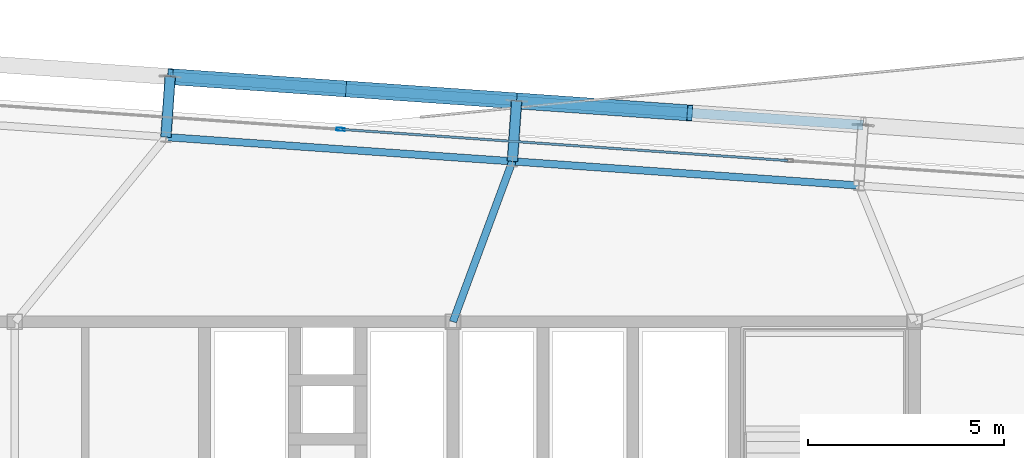
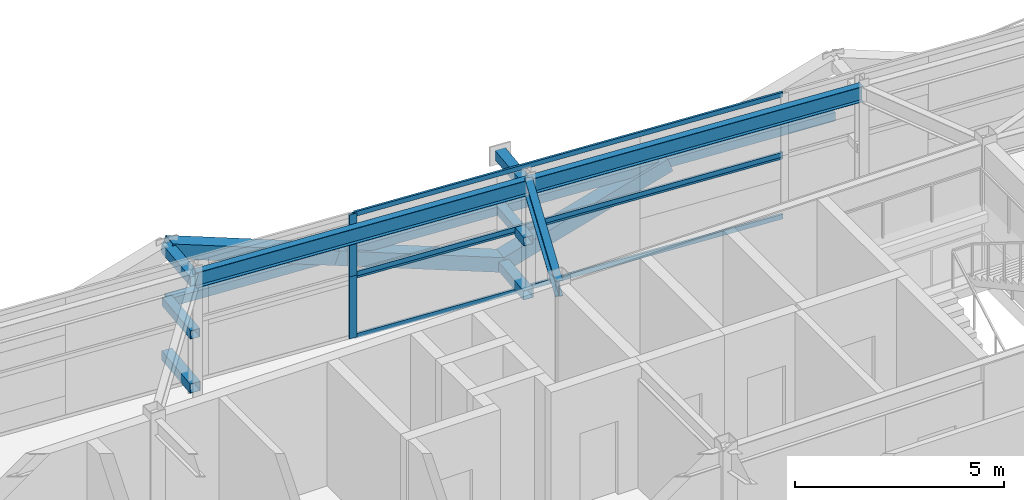
# One storey, part 21 of 36: 17 members, 3 beams, 2 elements without a shape of their own.
"""IFC4 building model written with IfcOpenShell, lengths in metres."""

from ifc_helpers import new_model, si_unit, direction, frame, origin, origin_2d, place, context, subcontext, project, spatial, hollow_rectangle, i_section, extrude, source, transform, mapped, material, layer, layer_set, material_profile, profile_set, type_object, element, aggregate, save


model = new_model("IFC4")

# Units and contexts
model_context = context("Model", 3, precision=1e-05, world=origin(), true_north=direction((0.0, 1.0)))
body_context = subcontext(model_context, "Body", "Model", "MODEL_VIEW")
ifc_project = project(units=[si_unit("LENGTHUNIT", "METRE"), si_unit("AREAUNIT", "SQUARE_METRE"), si_unit("VOLUMEUNIT", "CUBIC_METRE"), si_unit("PLANEANGLEUNIT", "RADIAN"), si_unit("MASSUNIT", "GRAM", prefix="KILO")], contexts=[model_context])

# Site, building, storey
site_placement = place(None, origin())
site = spatial("IfcSite", under=ifc_project, at=site_placement, CompositionType="ELEMENT")
building_placement = place(site_placement, origin())
building = spatial("IfcBuilding", under=site, at=building_placement, Name="Taldren Reach Tower", CompositionType="ELEMENT")
storey_placement = place(building_placement, frame((0.0, 0.0, 116.550048828125)))
storey = spatial("IfcBuildingStorey", under=building, at=storey_placement, Name="L35", CompositionType="ELEMENT", Elevation=116.550048828125)

# Members
ifc_material_1 = material(Name="Steel Gr 450 (C450L0)", Category="steel")
ifc_material_profile_1 = material_profile(ifc_material_1, hollow_rectangle(XDim=0.27490234375, YDim=0.27490234375, WallThickness=0.00927734375, at=origin_2d()), Name="275x275x9.3SHS")
ifc_profile_set_1 = profile_set([ifc_material_profile_1], Name="Steel Gr 450 (C450L0)")
member_type_1 = type_object("IfcMemberType", Name="MB-TIE273", PredefinedType="STRUT", material=ifc_profile_set_1)
shared_shape_1 = source(origin(), body_context, "Body", "SweptSolid", [
    extrude(hollow_rectangle(XDim=0.27490234375, YDim=0.27490234375, WallThickness=0.00927734375, at=origin_2d()), origin(), (0.0, 0.0, 1.0), 1.5498046875),
])
for number, where, z_axis, x_axis, name in (
    (1, (31.861328125, 36.719970703125, 3.349853515625), (0.069780535098, 0.997562367434, 0.0), (-0.997562367434, 0.069780535098, 0.0), "Exoskeleton diaphragm tie strut B3-N3 L35"),
    (2, (31.861328125, 36.719970703125, 0.219970703125), (0.069780535098, 0.997562367434, 0.0), (-0.997562367434, 0.069780535098, 0.0), "Exoskeleton base diaphragm tie strut B3-N3 L35"),
):
    element("IfcMember", number, at=place(storey_placement, frame(where, z_axis=z_axis, x_axis=x_axis)), inside=storey, type_object=member_type_1, Name=name, PredefinedType="STRUT", context=body_context, shape_type="MappedRepresentation", body=[
        mapped(shared_shape_1, transform((0.0, 0.0, 0.0), scale=1.0)),
    ])
ifc_material_2 = material(Name="Steel Gr 350 (C350L0)", Category="steel")
ifc_material_profile_2 = material_profile(ifc_material_2, hollow_rectangle(XDim=0.25, YDim=0.25, WallThickness=0.010009765625, at=origin_2d()), Name="250x250x10.0SHS")
ifc_profile_set_2 = profile_set([ifc_material_profile_2], Name="Steel Gr 350 (C350L0)")
member_type_2 = type_object("IfcMemberType", Name="MB-POST250", PredefinedType="POST", material=ifc_profile_set_2)
shared_shape_2 = source(origin(), body_context, "Body", "SweptSolid", [
    extrude(hollow_rectangle(XDim=0.25, YDim=0.25, WallThickness=0.010009765625, at=origin_2d()), origin(), (0.0, 0.0, 1.0), 1.5498046875),
])
member_1_placement = place(storey_placement, frame((31.861328125, 36.719970703125, 1.784912109375), z_axis=(0.069780535098, 0.997562367434, 0.0), x_axis=(-0.997562367434, 0.069780535098, 0.0)))
element("IfcMember", 3, at=member_1_placement, inside=storey, type_object=member_type_2, Name="Exoskeleton mid-tier diaphragm tie B3-N3 L35", PredefinedType="POST", context=body_context, shape_type="MappedRepresentation", body=[
    mapped(shared_shape_2, transform((0.0, 0.0, 0.0), scale=1.0)),
])
shared_shape_3 = source(origin(), body_context, "Body", "SweptSolid", [
    extrude(hollow_rectangle(XDim=0.27490234375, YDim=0.27490234375, WallThickness=0.00927734375, at=origin_2d()), origin(), (0.0, 0.0, 1.0), 1.550048828125),
])
for number, where, z_axis, x_axis, name in (
    (4, (40.7197265625, 36.100341796875, 3.349853515625), (0.06976957191, 0.99756313426, 0.0), (-0.99756313426, 0.06976957191, 0.0), "Exoskeleton diaphragm tie strut B3-N4 L35"),
    (5, (40.7197265625, 36.100341796875, 0.219970703125), (0.06976957191, 0.99756313426, 0.0), (-0.99756313426, 0.06976957191, 0.0), "Exoskeleton base diaphragm tie strut B3-N4 L35"),
):
    element("IfcMember", number, at=place(storey_placement, frame(where, z_axis=z_axis, x_axis=x_axis)), inside=storey, type_object=member_type_1, Name=name, PredefinedType="STRUT", context=body_context, shape_type="MappedRepresentation", body=[
        mapped(shared_shape_3, transform((0.0, 0.0, 0.0), scale=1.0)),
    ])
shared_shape_4 = source(origin(), body_context, "Body", "SweptSolid", [
    extrude(hollow_rectangle(XDim=0.25, YDim=0.25, WallThickness=0.010009765625, at=origin_2d()), origin(), (0.0, 0.0, 1.0), 1.550048828125),
])
member_2_placement = place(storey_placement, frame((40.7197265625, 36.100341796875, 1.784912109375), z_axis=(0.06976957191, 0.99756313426, 0.0), x_axis=(-0.99756313426, 0.06976957191, 0.0)))
element("IfcMember", 6, at=member_2_placement, inside=storey, type_object=member_type_2, Name="Exoskeleton mid-tier diaphragm tie B3-N4 L35", PredefinedType="POST", context=body_context, shape_type="MappedRepresentation", body=[
    mapped(shared_shape_4, transform((0.0, 0.0, 0.0), scale=1.0)),
])

# Beams
ifc_material_3 = material(Name="Steel Gr 350 (350PLUS)", Category="steel")
ifc_material_profile_3 = material_profile(ifc_material_3, i_section(OverallWidth=0.18994140625, OverallDepth=0.4541015625, WebThickness=0.008544921875, FlangeThickness=0.0126953125, at=origin_2d()), Name="460UB67.1")
ifc_profile_set_3 = profile_set([ifc_material_profile_3], Name="Steel Gr 350 (350PLUS)")
beam_type_1 = type_object("IfcBeamType", Name="SP-UB460B", PredefinedType="SPANDREL", material=ifc_profile_set_3)
shared_shape_5 = source(origin(), body_context, "Body", "SweptSolid", [
    extrude(i_section(OverallWidth=0.18994140625, OverallDepth=0.4541015625, WebThickness=0.008544921875, FlangeThickness=0.0126953125, at=origin_2d()), origin(), (0.0, 0.0, 1.0), 8.880126953125),
])
for number, where, z_axis, x_axis, name in (
    (7, (49.578125, 35.48095703125, 3.40283203125), (-0.997564479639, 0.069750333063, 0.0), (-0.069750333063, -0.997564479639, 0.0), "Perimeter spandrel B3 N5-N4 L35"),
    (8, (40.7197265625, 36.100341796875, 3.40283203125), (-0.997562566276, 0.06977769246, 0.0), (-0.06977769246, -0.997562566276, 0.0), "Perimeter spandrel B3 N4-N3 L35"),
):
    element("IfcBeam", number, at=place(storey_placement, frame(where, z_axis=z_axis, x_axis=x_axis)), inside=storey, type_object=beam_type_1, Name=name, PredefinedType="SPANDREL", context=body_context, shape_type="MappedRepresentation", body=[
        mapped(shared_shape_5, transform((0.0, 0.0, 0.0), scale=1.0)),
    ])
ifc_material_profile_4 = material_profile(ifc_material_3, i_section(OverallWidth=0.19091796875, OverallDepth=0.4599609375, WebThickness=0.010009765625, FlangeThickness=0.01611328125, at=origin_2d()), Name="460UB82.1")
ifc_profile_set_4 = profile_set([ifc_material_profile_4], Name="Steel Gr 350 (350PLUS)")
beam_type_2 = type_object("IfcBeamType", Name="BM-UB460A", PredefinedType="BEAM", material=ifc_profile_set_4)
shared_shape_6 = source(origin(), body_context, "Body", "SweptSolid", [
    extrude(i_section(OverallWidth=0.19091796875, OverallDepth=0.4599609375, WebThickness=0.010009765625, FlangeThickness=0.01611328125, at=origin_2d()), origin(), (0.0, 0.0, 1.0), 4.373046875),
])
beam_placement = place(storey_placement, frame((39.199951171875, 32.0, 3.39990234375), z_axis=(0.347541638975, 0.937664550454, 0.0), x_axis=(-0.937664550454, 0.347541638975, 0.0)))
element("IfcBeam", 9, at=beam_placement, inside=storey, type_object=beam_type_2, Name="Primary floor girder B3-N4 L35", PredefinedType="BEAM", context=body_context, shape_type="MappedRepresentation", body=[
    mapped(shared_shape_6, transform((0.0, 0.0, 0.0), scale=1.0)),
])

# Members
ifc_material_profile_5 = material_profile(ifc_material_1, hollow_rectangle(XDim=0.409912109375, YDim=0.409912109375, WallThickness=0.01611328125, at=origin_2d()), Name="410x410x16.0SHS")
ifc_profile_set_5 = profile_set([ifc_material_profile_5], Name="Steel Gr 450 (C450L0)")
member_type_3 = type_object("IfcMemberType", Name="MB-EXO406", PredefinedType="BRACE", material=ifc_profile_set_5)
shared_shape_7 = source(origin(), body_context, "Body", "SweptSolid", [
    extrude(hollow_rectangle(XDim=0.409912109375, YDim=0.409912109375, WallThickness=0.01611328125, at=origin_2d()), origin(), (0.0, 0.0, 1.0), 4.707763671875),
])
for number, where, z_axis, x_axis, name in (
    (10, (40.827880859375, 37.646728515625, 0.219970703125), (-0.940836301296, 0.065757933527, 0.332419837466), (-0.069722973508, -0.997566392259, 0.0), "Exoskeleton Diagrid Brace B3-N3 L35"),
    (11, (36.398681640625, 37.956298828125, 1.784912109375), (-0.940833091628, 0.065809568585, 0.332418703414), (-0.06977769246, -0.997562566276, 0.0), "Exoskeleton Diagrid Brace B3-N3 L35"),
    (12, (40.827880859375, 37.646728515625, 0.219970703125), (0.940833091628, -0.065809568585, 0.332418703414), (0.06977769246, 0.997562566276, 0.0), "Exoskeleton Diagrid Brace B3-N4 L35"),
):
    element("IfcMember", number, at=place(storey_placement, frame(where, z_axis=z_axis, x_axis=x_axis)), inside=storey, type_object=member_type_3, Name=name, PredefinedType="BRACE", context=body_context, shape_type="MappedRepresentation", body=[
        mapped(shared_shape_7, transform((0.0, 0.0, 0.0), scale=1.0)),
    ])
shared_shape_8 = source(origin(), body_context, "Body", "SweptSolid", [
    extrude(hollow_rectangle(XDim=0.25, YDim=0.25, WallThickness=0.010009765625, at=origin_2d()), origin(), (0.0, 0.0, 1.0), 8.880126953125),
])
for number, where, z_axis, x_axis, name in (
    (13, (31.969482421875, 38.26611328125, 1.784912109375), (0.997564479639, -0.069750333063, 0.0), (0.069750333063, 0.997564479639, 0.0), "Exoskeleton mid-height ring chord B3-N3 L35"),
    (14, (40.827880859375, 37.646728515625, 1.784912109375), (0.997564479639, -0.069750333063, 0.0), (0.069750333063, 0.997564479639, 0.0), "Exoskeleton mid-height ring chord B3-N4 L35"),
):
    element("IfcMember", number, at=place(storey_placement, frame(where, z_axis=z_axis, x_axis=x_axis)), inside=storey, type_object=member_type_2, Name=name, PredefinedType="POST", context=body_context, shape_type="MappedRepresentation", body=[
        mapped(shared_shape_8, transform((0.0, 0.0, 0.0), scale=1.0)),
    ])

# Curtain wall, member
ifc_material_4 = material(Name="Aluminium and Low-E Glass Unitised System", Category="aluminium")
ifc_layer = layer(ifc_material_4, 0.159912109375)
ifc_layer_set = layer_set([ifc_layer], Name="Aluminium and Low-E Glass Unitised System")
curtain_wall_type = type_object("IfcCurtainWallType", Name="CW-SYS-7", PredefinedType="NOTDEFINED", material=ifc_layer_set)
curtain_wall_1_placement = place(storey_placement, origin())
curtain_wall_1 = element("IfcCurtainWall", 15, at=curtain_wall_1_placement, inside=storey, type_object=curtain_wall_type, Name="Unitised curtain wall CW-L35-N", PredefinedType="NOTDEFINED")
ifc_material_5 = material(Name="Anodised Aluminium 6063-T6", Category="aluminium")
ifc_material_profile_6 = material_profile(ifc_material_5, hollow_rectangle(XDim=0.074951171875, YDim=0.2099609375, WallThickness=0.00439453125, at=origin_2d()), Name="ALU-210x75x4.5RHS")
ifc_profile_set_6 = profile_set([ifc_material_profile_6], Name="Anodised Aluminium 6063-T6")
member_type_4 = type_object("IfcMemberType", Name="CW-MUL-200", PredefinedType="MULLION", material=ifc_profile_set_6)
shared_shape_9 = source(origin(), body_context, "Body", "SweptSolid", [
    extrude(hollow_rectangle(XDim=0.074951171875, YDim=0.2099609375, WallThickness=0.00439453125, at=origin_2d()), origin(), (0.0, 0.0, 1.0), 1.81494140625),
])
member_3_placement = place(storey_placement, frame((36.326171875, 36.9189453125, 0.0), z_axis=(0.0, 0.0, 1.0), x_axis=(-0.06975651593, -0.99756404731, 0.0)))
member_3 = element("IfcMember", 16, at=member_3_placement, type_object=member_type_4, Name="CW-7 mullion 3", PredefinedType="MULLION", context=body_context, shape_type="MappedRepresentation", body=[
    mapped(shared_shape_9, transform((0.0, 0.0, 0.0), scale=1.0)),
])

curtain_wall_2_placement = place(storey_placement, origin())
curtain_wall_2 = element("IfcCurtainWall", 17, at=curtain_wall_2_placement, inside=storey, type_object=curtain_wall_type, Name="Unitised curtain wall CW-L35-N-T2", PredefinedType="NOTDEFINED")
member_4_placement = place(storey_placement, frame((36.326171875, 36.9189453125, 1.81494140625), z_axis=(0.0, 0.0, 1.0), x_axis=(-0.06975651593, -0.99756404731, 0.0)))
member_4 = element("IfcMember", 18, at=member_4_placement, type_object=member_type_4, Name="CW-7 mullion 3", PredefinedType="MULLION", context=body_context, shape_type="MappedRepresentation", body=[
    mapped(shared_shape_9, transform((0.0, 0.0, 0.0), scale=1.0)),
])

# Member
ifc_material_profile_7 = material_profile(ifc_material_5, hollow_rectangle(XDim=0.06005859375, YDim=0.135009765625, WallThickness=0.00341796875, at=origin_2d()), Name="ALU-135x60x3.5RHS")
ifc_profile_set_7 = profile_set([ifc_material_profile_7], Name="Anodised Aluminium 6063-T6")
member_type_5 = type_object("IfcMemberType", Name="CW-TRN-150", PredefinedType="USERDEFINED", material=ifc_profile_set_7)
shared_shape_10 = source(origin(), body_context, "Body", "SweptSolid", [
    extrude(hollow_rectangle(XDim=0.06005859375, YDim=0.135009765625, WallThickness=0.00341796875, at=origin_2d()), origin(), (0.0, 0.0, 1.0), 11.425048828125),
])
member_5_placement = place(storey_placement, frame((47.7607421875, 36.119384765625, 0.030029296875), z_axis=(-0.997564635149, 0.069748108929, 0.0), x_axis=(-0.069748108929, -0.997564635149, 0.0)))
member_5 = element("IfcMember", 19, at=member_5_placement, type_object=member_type_5, Name="CW-7 transom 2.1", ObjectType="TRANSOM", PredefinedType="USERDEFINED", context=body_context, shape_type="MappedRepresentation", body=[
    mapped(shared_shape_10, transform((0.0, 0.0, 0.0), scale=1.0)),
])

member_6_placement = place(storey_placement, frame((47.7607421875, 36.119384765625, 1.784912109375), z_axis=(-0.997564635149, 0.069748108929, 0.0), x_axis=(-0.069748108929, -0.997564635149, 0.0)))
member_6 = element("IfcMember", 20, at=member_6_placement, type_object=member_type_5, Name="CW-7 transom 2.2", ObjectType="TRANSOM", PredefinedType="USERDEFINED", context=body_context, shape_type="MappedRepresentation", body=[
    mapped(shared_shape_10, transform((0.0, 0.0, 0.0), scale=1.0)),
])

aggregate(curtain_wall_1, [member_3, member_5, member_6])

member_7_placement = place(storey_placement, frame((47.7607421875, 36.119384765625, 1.844970703125), z_axis=(-0.997564635149, 0.069748108929, 0.0), x_axis=(-0.069748108929, -0.997564635149, 0.0)))
member_7 = element("IfcMember", 21, at=member_7_placement, type_object=member_type_5, Name="CW-7 transom 2.1", ObjectType="TRANSOM", PredefinedType="USERDEFINED", context=body_context, shape_type="MappedRepresentation", body=[
    mapped(shared_shape_10, transform((0.0, 0.0, 0.0), scale=1.0)),
])

member_8_placement = place(storey_placement, frame((47.7607421875, 36.119384765625, 3.599853515625), z_axis=(-0.997564635149, 0.069748108929, 0.0), x_axis=(-0.069748108929, -0.997564635149, 0.0)))
member_8 = element("IfcMember", 22, at=member_8_placement, type_object=member_type_5, Name="CW-7 transom 2.2", ObjectType="TRANSOM", PredefinedType="USERDEFINED", context=body_context, shape_type="MappedRepresentation", body=[
    mapped(shared_shape_10, transform((0.0, 0.0, 0.0), scale=1.0)),
])

aggregate(curtain_wall_2, [member_4, member_7, member_8])

save(model, "model.ifc")
